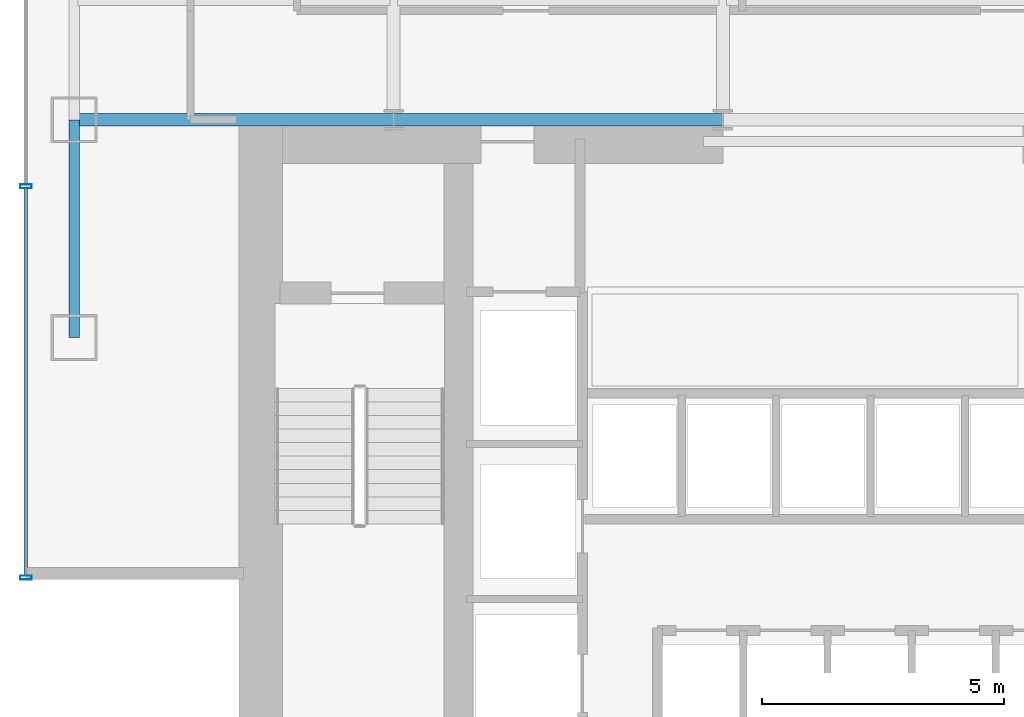
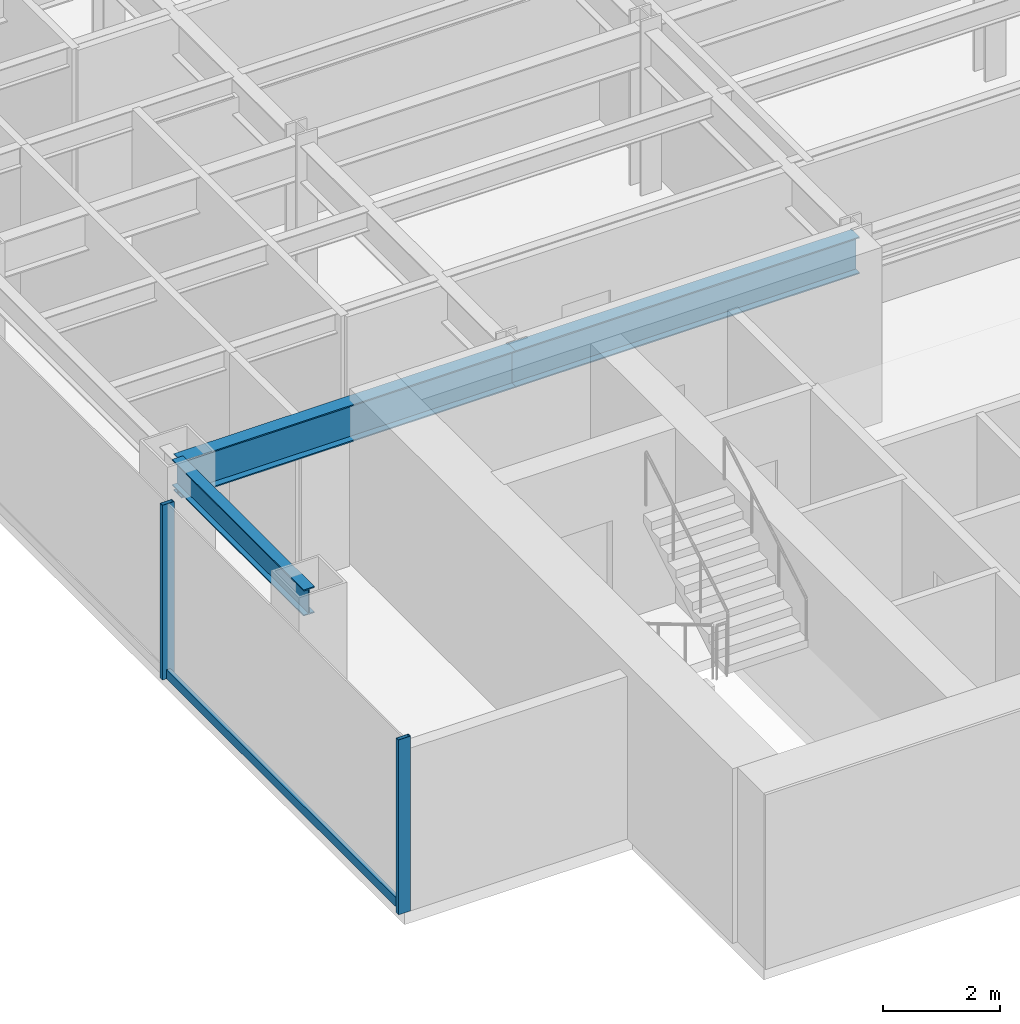
# One storey, part 2 of 22: 3 beams, 3 members, 1 element without a shape of its own.
"""IFC4 building model written with IfcOpenShell, lengths in metres."""

from ifc_helpers import new_model, si_unit, derived_unit, direction, frame, origin, origin_2d, place, context, subcontext, project, spatial, hollow_rectangle, i_section, extrude, source, transform, mapped, material, material_profile, profile_set, type_object, element, aggregate, save


model = new_model("IFC4")

# Units and contexts
model_context = context("Model", 3, precision=1e-05, world=origin(), true_north=direction((0.0, 1.0)))
body_context = subcontext(model_context, "Body", "Model", "MODEL_VIEW")
ifc_project = project(units=[si_unit("LENGTHUNIT", "METRE"), si_unit("AREAUNIT", "SQUARE_METRE"), si_unit("VOLUMEUNIT", "CUBIC_METRE"), si_unit("PLANEANGLEUNIT", "RADIAN"), si_unit("MASSUNIT", "GRAM", prefix="KILO"), derived_unit("THERMALTRANSMITTANCEUNIT", [(si_unit("POWERUNIT", "WATT"), 1), (si_unit("LENGTHUNIT", "METRE"), -2), (si_unit("THERMODYNAMICTEMPERATUREUNIT", "KELVIN"), -1)])], contexts=[model_context])

# Site, building, storey
site_placement = place(None, origin())
site = spatial("IfcSite", under=ifc_project, at=site_placement, CompositionType="ELEMENT")
building_placement = place(site_placement, origin())
building = spatial("IfcBuilding", under=site, at=building_placement, Name="Skarnbrae Concourse Arena and Tower", CompositionType="ELEMENT")
storey_placement = place(building_placement, frame((0.0, 0.0, 69.0)))
storey = spatial("IfcBuildingStorey", under=building, at=storey_placement, Name="L16", CompositionType="ELEMENT", Elevation=69.0)

# Beams
ifc_material_1 = material(Name="Steel CSA G40.21 350W", Category="steel")
ifc_material_profile_1 = material_profile(ifc_material_1, i_section(OverallWidth=0.26806640625, OverallDepth=0.77001953125, WebThickness=0.015625, FlangeThickness=0.025390625, at=origin_2d()), Name="W760X196")
ifc_profile_set_1 = profile_set([ifc_material_profile_1], Name="Steel CSA G40.21 350W")
beam_type_1 = type_object("IfcBeamType", Name="BM-GIRD-W760X196", PredefinedType="BEAM", material=ifc_profile_set_1)
shared_shape_1 = source(origin(), body_context, "Body", "SweptSolid", [
    extrude(i_section(OverallWidth=0.26806640625, OverallDepth=0.77001953125, WebThickness=0.015625, FlangeThickness=0.025390625, at=origin_2d()), origin(), (0.0, 0.0, 1.0), 6.60009765625),
])
beam_1_placement = place(storey_placement, frame((1.0, 14.0, 3.014892578125), z_axis=(1.0, 0.0, 0.0), x_axis=(0.0, 1.0, 0.0)))
element("IfcBeam", 1, at=beam_1_placement, inside=storey, type_object=beam_type_1, Name="L16 Primary E-W girder Y14.0-1", PredefinedType="BEAM", context=body_context, shape_type="MappedRepresentation", body=[
    mapped(shared_shape_1, transform((0.0, 0.0, 0.0))),
])
shared_shape_2 = source(origin(), body_context, "Body", "SweptSolid", [
    extrude(i_section(OverallWidth=0.26806640625, OverallDepth=0.77001953125, WebThickness=0.015625, FlangeThickness=0.025390625, at=origin_2d()), origin(), (0.0, 0.0, 1.0), 6.7998046875),
])
beam_2_placement = place(storey_placement, frame((7.60009765625, 14.0, 3.014892578125), z_axis=(1.0, 0.0, 0.0), x_axis=(0.0, 1.0, 0.0)))
element("IfcBeam", 2, at=beam_2_placement, inside=storey, type_object=beam_type_1, Name="L16 Primary E-W girder Y14.0-2", PredefinedType="BEAM", context=body_context, shape_type="MappedRepresentation", body=[
    mapped(shared_shape_2, transform((0.0, 0.0, 0.0))),
])
ifc_material_profile_2 = material_profile(ifc_material_1, i_section(OverallWidth=0.214111328125, OverallDepth=0.549072265625, WebThickness=0.0146484375, FlangeThickness=0.023681640625, at=origin_2d()), Name="W530X138")
ifc_profile_set_2 = profile_set([ifc_material_profile_2], Name="Steel CSA G40.21 350W")
beam_type_2 = type_object("IfcBeamType", Name="BM-SPAN-W530X138", PredefinedType="SPANDREL", material=ifc_profile_set_2)
shared_shape_3 = source(origin(), body_context, "Body", "SweptSolid", [
    extrude(i_section(OverallWidth=0.214111328125, OverallDepth=0.549072265625, WebThickness=0.0146484375, FlangeThickness=0.023681640625, at=origin_2d()), origin(), (0.0, 0.0, 1.0), 4.5),
])
beam_3_placement = place(storey_placement, frame((1.0, 9.5, 3.12548828125), z_axis=(0.0, 1.0, 0.0), x_axis=(-1.0, 0.0, 0.0)))
element("IfcBeam", 3, at=beam_3_placement, inside=storey, type_object=beam_type_2, Name="L16 Perimeter spandrel X1.0-1", PredefinedType="SPANDREL", context=body_context, shape_type="MappedRepresentation", body=[
    mapped(shared_shape_3, transform((0.0, 0.0, 0.0))),
])

# Curtain wall, members
ifc_material_2 = material(Name="Bronze anodised aluminium 6063-T6", Category="aluminium")
curtain_wall_type = type_object("IfcCurtainWallType", Name="CW-SYS-02-LOWZONE", PredefinedType="USERDEFINED", material=ifc_material_2)
curtain_wall_placement = place(storey_placement, origin())
curtain_wall = element("IfcCurtainWall", 4, at=curtain_wall_placement, inside=storey, type_object=curtain_wall_type, Name="L16 Unitised curtain wall CW-L16-E19", ObjectType="UNITISED CURTAIN WALL", PredefinedType="USERDEFINED")
ifc_material_profile_3 = material_profile(ifc_material_2, hollow_rectangle(XDim=0.080078125, YDim=0.239990234375, WallThickness=0.0048828125, at=origin_2d()), Name="ALU-MULL-80X240")
ifc_profile_set_3 = profile_set([ifc_material_profile_3], Name="Bronze anodised aluminium 6063-T6")
member_type_1 = type_object("IfcMemberType", Name="CWM-CW-02", PredefinedType="MULLION", material=ifc_profile_set_3)
shared_shape_4 = source(origin(), body_context, "Body", "SweptSolid", [
    extrude(hollow_rectangle(XDim=0.080078125, YDim=0.239990234375, WallThickness=0.0048828125, at=origin_2d()), origin(), (0.0, 0.0, 1.0), 3.64990234375),
])
member_1_placement = place(storey_placement, frame((0.0, 12.625, 0.0), z_axis=(0.0, 0.0, 1.0), x_axis=(0.0, -1.0, 0.0)))
member_1 = element("IfcMember", 5, at=member_1_placement, type_object=member_type_1, Name="CW-L16-E19 Mullion 4", PredefinedType="MULLION", context=body_context, shape_type="MappedRepresentation", body=[
    mapped(shared_shape_4, transform((0.0, 0.0, 0.0))),
])
member_2_placement = place(storey_placement, frame((0.0, 4.5400390625, 0.0), z_axis=(0.0, 0.0, 1.0), x_axis=(0.0, -1.0, 0.0)))
member_2 = element("IfcMember", 6, at=member_2_placement, type_object=member_type_1, Name="CW-L16-E19 Mullion 5", PredefinedType="MULLION", context=body_context, shape_type="MappedRepresentation", body=[
    mapped(shared_shape_4, transform((0.0, 0.0, 0.0))),
])
ifc_material_profile_4 = material_profile(ifc_material_2, hollow_rectangle(XDim=0.080078125, YDim=0.18994140625, WallThickness=0.0048828125, at=origin_2d()), Name="ALU-TRAN-80X190")
ifc_profile_set_4 = profile_set([ifc_material_profile_4], Name="Bronze anodised aluminium 6063-T6")
member_type_2 = type_object("IfcMemberType", Name="CWT-CW-02", PredefinedType="USERDEFINED", material=ifc_profile_set_4)
shared_shape_5 = source(origin(), body_context, "Body", "SweptSolid", [
    extrude(hollow_rectangle(XDim=0.080078125, YDim=0.18994140625, WallThickness=0.0048828125, at=origin_2d()), origin(), (0.0, 0.0, 1.0), 8.0048828125),
])
member_3_placement = place(storey_placement, frame((0.0, 12.5849609375, 0.094970703125), z_axis=(0.0, -1.0, 0.0), x_axis=(1.0, 0.0, 0.0)))
member_3 = element("IfcMember", 7, at=member_3_placement, type_object=member_type_2, Name="CW-L16-E19 Transom 4", ObjectType="TRANSOM", PredefinedType="USERDEFINED", context=body_context, shape_type="MappedRepresentation", body=[
    mapped(shared_shape_5, transform((0.0, 0.0, 0.0))),
])
aggregate(curtain_wall, [member_1, member_2, member_3])

save(model, "model.ifc")
